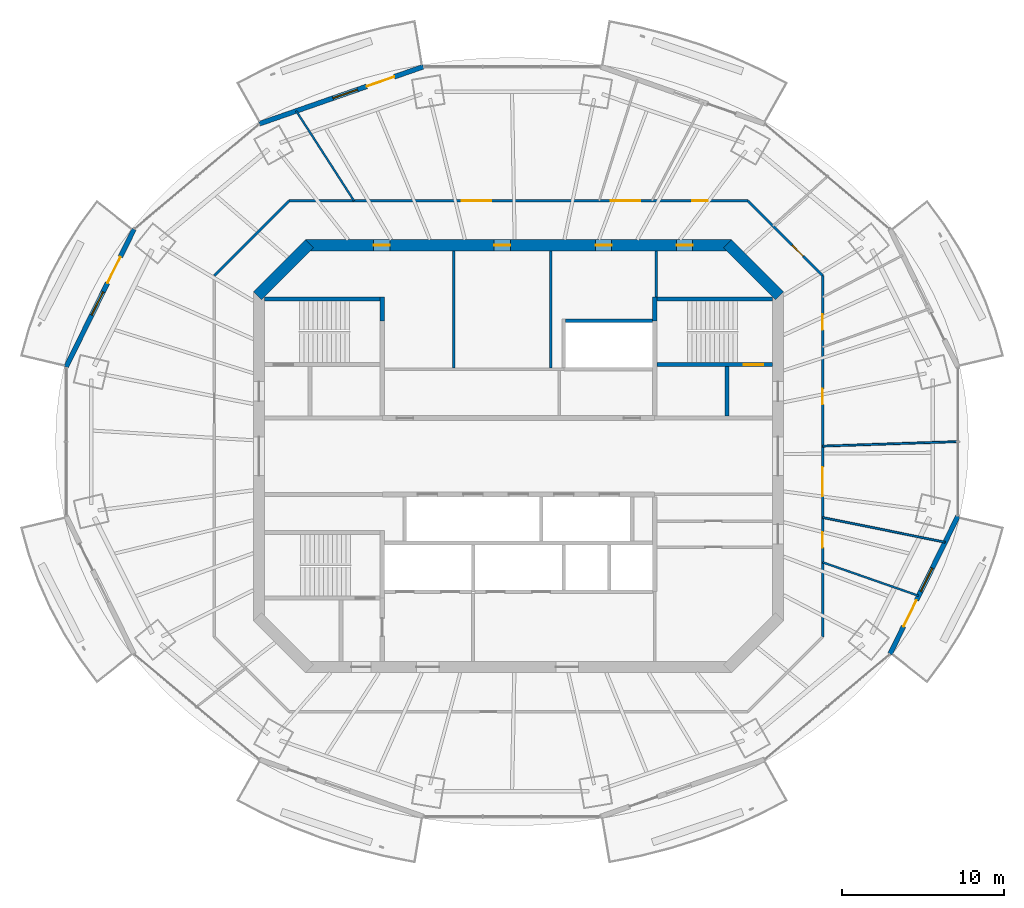
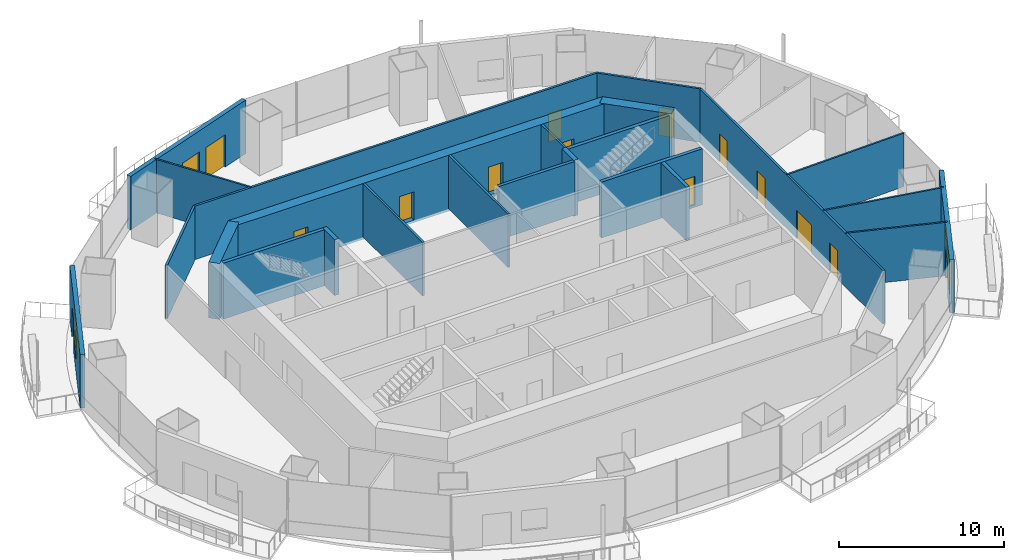
# One storey, part 10 of 16: 24 walls, 16 doors, 3 windows, 19 openings.
"""IFC4 building model written with IfcOpenShell, lengths in metres."""

from ifc_helpers import new_model, si_unit, direction, frame, frame_2d, origin, place, context, subcontext, project, spatial, rectangle, extrude, material, layer, layer_set, type_object, element, fill, save


model = new_model("IFC4")

# Units and contexts
model_context = context("Model", 3, precision=1e-05, world=origin(), true_north=direction((0.0, 1.0)))
body_context = subcontext(model_context, "Body", "Model", "MODEL_VIEW")
ifc_project = project(units=[si_unit("LENGTHUNIT", "METRE"), si_unit("AREAUNIT", "SQUARE_METRE"), si_unit("VOLUMEUNIT", "CUBIC_METRE"), si_unit("PLANEANGLEUNIT", "RADIAN"), si_unit("MASSUNIT", "GRAM", prefix="KILO")], contexts=[model_context])

# Site, building, storey
site_placement = place(None, origin())
site = spatial("IfcSite", under=ifc_project, at=site_placement, CompositionType="ELEMENT")
building_placement = place(site_placement, origin())
building = spatial("IfcBuilding", under=site, at=building_placement, Name="Marenthal Gate Tower", CompositionType="ELEMENT")
storey_placement = place(building_placement, frame((0.0, 0.0, 313.550048828125)))
storey = spatial("IfcBuildingStorey", under=building, at=storey_placement, Name="L70", CompositionType="ELEMENT", Elevation=313.550048828125)

# Wall
ifc_material_1 = material(Name="Concrete 60 MPa", Category="concrete")
ifc_layer_1 = layer(ifc_material_1, 0.699951171875)
ifc_layer_set_1 = layer_set([ifc_layer_1], Name="Core shear wall 700")
wall_type_1 = type_object("IfcWallType", Name="Core shear wall 700", PredefinedType="SHEAR", material=ifc_layer_set_1)
wall_1_placement = place(storey_placement, frame((16.1025390625, 9.8974609375, -0.179931640625), z_axis=(0.0, 0.0, 1.0), x_axis=(-0.707106781187, 0.707106781187, 0.0)))
element("IfcWall", 1, at=wall_1_placement, inside=storey, type_object=wall_type_1, Name="Core wall 03", PredefinedType="SHEAR", context=body_context, shape_type="SweptSolid", body=[
    extrude(rectangle(XDim=4.53271484375, YDim=0.699951171875, at=frame_2d((2.266357421875, 0.0))), origin(), (0.0, 0.0, 1.0), 4.14990234375),
])

# Wall, openings, doors
wall_2_placement = place(storey_placement, frame((13.14501953125, 13.0, -0.179931640625), z_axis=(0.0, 0.0, 1.0), x_axis=(-1.0, 0.0, 0.0)))
wall_2 = element("IfcWall", 2, at=wall_2_placement, inside=storey, type_object=wall_type_1, Name="Core wall 04", PredefinedType="SHEAR", context=body_context, shape_type="SweptSolid", body=[
    extrude(rectangle(XDim=26.2900390625, YDim=0.699951171875, at=frame_2d((13.14501953125, 0.0))), origin(), (0.0, 0.0, 1.0), 4.14990234375),
])
opening_1_placement = place(wall_2_placement, frame((21.07275390625, 0.0, 0.179931640625)))
opening_1 = element("IfcOpeningElement", 3, at=opening_1_placement, cuts=wall_2, Name="Opening D005.03", PredefinedType="OPENING", context=body_context, shape_type="SweptSolid", body=[
    extrude(rectangle(XDim=1.0, YDim=2.10009765625, at=frame_2d((0.5, 1.050048828125))), frame((0.0, 0.35986328125, 0.0), z_axis=(0.0, -1.0, 0.0), x_axis=(1.0, 0.0, 0.0)), (0.0, 0.0, 1.0), 0.719970703125),
])
opening_2_placement = place(wall_2_placement, frame((13.64501953125, 0.0, 0.179931640625)))
opening_2 = element("IfcOpeningElement", 4, at=opening_2_placement, cuts=wall_2, Name="Opening D005.04", PredefinedType="OPENING", context=body_context, shape_type="SweptSolid", body=[
    extrude(rectangle(XDim=1.0, YDim=2.10009765625, at=frame_2d((0.5, 1.050048828125))), frame((0.0, 0.35986328125, 0.0), z_axis=(0.0, -1.0, 0.0), x_axis=(1.0, 0.0, 0.0)), (0.0, 0.0, 1.0), 0.719970703125),
])
opening_3_placement = place(wall_2_placement, frame((7.39501953125, 0.0, 0.179931640625)))
opening_3 = element("IfcOpeningElement", 5, at=opening_3_placement, cuts=wall_2, Name="Opening D005.05", PredefinedType="OPENING", context=body_context, shape_type="SweptSolid", body=[
    extrude(rectangle(XDim=1.0, YDim=2.10009765625, at=frame_2d((0.5, 1.050048828125))), frame((0.0, 0.35986328125, 0.0), z_axis=(0.0, -1.0, 0.0), x_axis=(1.0, 0.0, 0.0)), (0.0, 0.0, 1.0), 0.719970703125),
])
opening_4_placement = place(wall_2_placement, frame((2.39990234375, 0.0, 0.179931640625)))
opening_4 = element("IfcOpeningElement", 6, at=opening_4_placement, cuts=wall_2, Name="Opening D005.06", PredefinedType="OPENING", context=body_context, shape_type="SweptSolid", body=[
    extrude(rectangle(XDim=1.0, YDim=2.10009765625, at=frame_2d((0.5, 1.050048828125))), frame((0.0, 0.35986328125, 0.0), z_axis=(0.0, -1.0, 0.0), x_axis=(1.0, 0.0, 0.0)), (0.0, 0.0, 1.0), 0.719970703125),
])
ifc_material_2 = material(Name="Steel fire door", Category="steel")
door_type_1 = type_object("IfcDoorType", Name="Fire door FD 45 1000 x 2100", OperationType="NOTDEFINED", PredefinedType="DOOR", material=ifc_material_2)
door_1_placement = place(opening_1_placement, origin())
door_1 = element("IfcDoor", 7, at=door_1_placement, inside=storey, type_object=door_type_1, Name="Door D005.03", OperationType="SINGLE_SWING_RIGHT", OverallHeight=2.10009765625, OverallWidth=1.0, PredefinedType="DOOR", context=body_context, shape_type="SweptSolid", body=[
    extrude(rectangle(XDim=1.0, YDim=2.10009765625, at=frame_2d((0.5, 1.050048828125))), frame((0.0, 0.02490234375, 0.0), z_axis=(0.0, -1.0, 0.0), x_axis=(1.0, 0.0, 0.0)), (0.0, 0.0, 1.0), 0.050048828125),
])
fill(opening_1, door_1)
door_2_placement = place(opening_2_placement, origin())
door_2 = element("IfcDoor", 8, at=door_2_placement, inside=storey, type_object=door_type_1, Name="Door D005.04", OperationType="SINGLE_SWING_RIGHT", OverallHeight=2.10009765625, OverallWidth=1.0, PredefinedType="DOOR", context=body_context, shape_type="SweptSolid", body=[
    extrude(rectangle(XDim=1.0, YDim=2.10009765625, at=frame_2d((0.5, 1.050048828125))), frame((0.0, 0.02490234375, 0.0), z_axis=(0.0, -1.0, 0.0), x_axis=(1.0, 0.0, 0.0)), (0.0, 0.0, 1.0), 0.050048828125),
])
fill(opening_2, door_2)
door_3_placement = place(opening_3_placement, origin())
door_3 = element("IfcDoor", 9, at=door_3_placement, inside=storey, type_object=door_type_1, Name="Door D005.05", OperationType="SINGLE_SWING_RIGHT", OverallHeight=2.10009765625, OverallWidth=1.0, PredefinedType="DOOR", context=body_context, shape_type="SweptSolid", body=[
    extrude(rectangle(XDim=1.0, YDim=2.10009765625, at=frame_2d((0.5, 1.050048828125))), frame((0.0, 0.02490234375, 0.0), z_axis=(0.0, -1.0, 0.0), x_axis=(1.0, 0.0, 0.0)), (0.0, 0.0, 1.0), 0.050048828125),
])
fill(opening_3, door_3)
door_4_placement = place(opening_4_placement, origin())
door_4 = element("IfcDoor", 10, at=door_4_placement, inside=storey, type_object=door_type_1, Name="Door D005.06", OperationType="SINGLE_SWING_RIGHT", OverallHeight=2.10009765625, OverallWidth=1.0, PredefinedType="DOOR", context=body_context, shape_type="SweptSolid", body=[
    extrude(rectangle(XDim=1.0, YDim=2.10009765625, at=frame_2d((0.5, 1.050048828125))), frame((0.0, 0.02490234375, 0.0), z_axis=(0.0, -1.0, 0.0), x_axis=(1.0, 0.0, 0.0)), (0.0, 0.0, 1.0), 0.050048828125),
])
fill(opening_4, door_4)

# Walls
wall_3_placement = place(storey_placement, frame((-12.8974609375, 13.1025390625, -0.179931640625), z_axis=(0.0, 0.0, 1.0), x_axis=(-0.707106781187, -0.707106781187, 0.0)))
element("IfcWall", 11, at=wall_3_placement, inside=storey, type_object=wall_type_1, Name="Core wall 05", PredefinedType="SHEAR", context=body_context, shape_type="SweptSolid", body=[
    extrude(rectangle(XDim=4.53271484375, YDim=0.699951171875, at=frame_2d((2.266357421875, 0.0))), origin(), (0.0, 0.0, 1.0), 4.14990234375),
])
ifc_material_3 = material(Name="Concrete 40 MPa", Category="concrete")
ifc_layer_2 = layer(ifc_material_3, 0.219970703125)
ifc_layer_set_2 = layer_set([ifc_layer_2], Name="Hoistway wall 220")
wall_type_2 = type_object("IfcWallType", Name="Hoistway wall 220", PredefinedType="STANDARD", material=ifc_layer_set_2)
wall_4_placement = place(storey_placement, frame((2.909912109375, 8.35009765625, 0.0), z_axis=(0.0, 0.0, 1.0), x_axis=(1.0, 0.0, 0.0)))
element("IfcWall", 12, at=wall_4_placement, inside=storey, type_object=wall_type_2, Name="Hoistway wall 26", PredefinedType="STANDARD", context=body_context, shape_type="SweptSolid", body=[
    extrude(rectangle(XDim=5.340087890625, YDim=0.219970703125, at=frame_2d((2.669921875, 0.0))), origin(), (0.0, 0.0, 1.0), 3.969970703125),
])
ifc_material_4 = material(Name="Gypsum board on steel studs", Category="steel")
ifc_layer_3 = layer(ifc_material_4, 0.1201171875)
ifc_layer_set_3 = layer_set([ifc_layer_3], Name="Partition 120")
wall_type_3 = type_object("IfcWallType", Name="Partition 120", PredefinedType="PARTITIONING", material=ifc_layer_set_3)
wall_5_placement = place(storey_placement, frame((-10.141357421875, 15.75, 0.0), z_axis=(0.0, 0.0, 1.0), x_axis=(-0.541399884667, 0.840765225781, 0.0)))
element("IfcWall", 13, at=wall_5_placement, inside=storey, type_object=wall_type_3, Name="Partition wall 57", PredefinedType="PARTITIONING", context=body_context, shape_type="SweptSolid", body=[
    extrude(rectangle(XDim=6.587890625, YDim=0.1201171875, at=frame_2d((3.2939453125, 0.0))), origin(), (0.0, 0.0, 1.0), 3.969970703125),
])
wall_6_placement = place(storey_placement, frame((18.75, -6.540283203125, 0.0), z_axis=(0.0, 0.0, 1.0), x_axis=(0.944208901131, -0.329347158824, 0.0)))
element("IfcWall", 14, at=wall_6_placement, inside=storey, type_object=wall_type_3, Name="Partition wall 64", PredefinedType="PARTITIONING", context=body_context, shape_type="SweptSolid", body=[
    extrude(rectangle(XDim=6.277099609375, YDim=0.1201171875, at=frame_2d((3.138671875, 0.0))), origin(), (0.0, 0.0, 1.0), 3.969970703125),
])
wall_7_placement = place(storey_placement, frame((18.75, -3.7783203125, 0.0), z_axis=(0.0, 0.0, 1.0), x_axis=(0.980298249201, -0.197523017933, 0.0)))
element("IfcWall", 15, at=wall_7_placement, inside=storey, type_object=wall_type_3, Name="Partition wall 65", PredefinedType="PARTITIONING", context=body_context, shape_type="SweptSolid", body=[
    extrude(rectangle(XDim=7.707763671875, YDim=0.1201171875, at=frame_2d((3.85400390625, 0.0))), origin(), (0.0, 0.0, 1.0), 3.969970703125),
])
wall_8_placement = place(storey_placement, frame((18.75, 0.622802734375, 0.0), z_axis=(0.0, 0.0, 1.0), x_axis=(0.999449182352, 0.033186320928, 0.0)))
element("IfcWall", 16, at=wall_8_placement, inside=storey, type_object=wall_type_3, Name="Partition wall 66", PredefinedType="PARTITIONING", context=body_context, shape_type="SweptSolid", body=[
    extrude(rectangle(XDim=8.349853515625, YDim=0.1201171875, at=frame_2d((4.1748046875, 0.0))), origin(), (0.0, 0.0, 1.0), 3.969970703125),
])
ifc_material_5 = material(Name="Gypsum board on steel studs", Category="steel")
ifc_layer_4 = layer(ifc_material_5, 0.14990234375)
ifc_layer_set_4 = layer_set([ifc_layer_4], Name="Partition 150")
wall_type_4 = type_object("IfcWallType", Name="Partition 150", PredefinedType="PARTITIONING", material=ifc_layer_set_4)
for number, where, z_axis, x_axis, name in (
    (17, (-4.0, 5.425048828125, 0.0), (0.0, 0.0, 1.0), (0.0, 1.0, 0.0), "Partition wall 36"),
    (18, (2.0, 5.425048828125, 0.0), (0.0, 0.0, 1.0), (0.0, 1.0, 0.0), "Partition wall 40"),
):
    element("IfcWall", number, at=place(storey_placement, frame(where, z_axis=z_axis, x_axis=x_axis)), inside=storey, type_object=wall_type_4, Name=name, PredefinedType="PARTITIONING", context=body_context, shape_type="SweptSolid", body=[
        extrude(rectangle(XDim=7.224853515625, YDim=0.14990234375, at=frame_2d((3.6123046875, 0.0))), origin(), (0.0, 0.0, 1.0), 3.969970703125),
    ])
wall_9_placement = place(storey_placement, frame((8.5, 9.824951171875, 0.0), z_axis=(0.0, 0.0, 1.0), x_axis=(0.0, 1.0, 0.0)))
element("IfcWall", 19, at=wall_9_placement, inside=storey, type_object=wall_type_4, Name="Partition wall 50", PredefinedType="PARTITIONING", context=body_context, shape_type="SweptSolid", body=[
    extrude(rectangle(XDim=2.824951171875, YDim=0.14990234375, at=frame_2d((1.41259765625, 0.0))), origin(), (0.0, 0.0, 1.0), 3.969970703125),
])
wall_10_placement = place(storey_placement, frame((-18.75, 11.13916015625, 0.0), z_axis=(0.0, 0.0, 1.0), x_axis=(0.707106781187, 0.707106781187, 0.0)))
element("IfcWall", 20, at=wall_10_placement, inside=storey, type_object=wall_type_4, Name="Partition wall 53", PredefinedType="PARTITIONING", context=body_context, shape_type="SweptSolid", body=[
    extrude(rectangle(XDim=6.520751953125, YDim=0.14990234375, at=frame_2d((3.26025390625, 0.0))), origin(), (0.0, 0.0, 1.0), 3.969970703125),
])

# Wall, openings, doors
wall_11_placement = place(storey_placement, frame((-14.13916015625, 15.75, 0.0), z_axis=(0.0, 0.0, 1.0), x_axis=(1.0, 0.0, 0.0)))
wall_11 = element("IfcWall", 21, at=wall_11_placement, inside=storey, type_object=wall_type_4, Name="Partition wall 56", PredefinedType="PARTITIONING", context=body_context, shape_type="SweptSolid", body=[
    extrude(rectangle(XDim=28.2783203125, YDim=0.14990234375, at=frame_2d((14.13916015625, 0.0))), origin(), (0.0, 0.0, 1.0), 3.969970703125),
])
opening_5_placement = place(wall_11_placement, frame((24.847900390625, 0.0, 0.0)))
opening_5 = element("IfcOpeningElement", 22, at=opening_5_placement, cuts=wall_11, Name="Opening D016.04", PredefinedType="OPENING", context=body_context, shape_type="SweptSolid", body=[
    extrude(rectangle(XDim=0.949951171875, YDim=2.10009765625, at=frame_2d((0.47509765625, 1.050048828125))), frame((0.0, 0.0849609375, 0.0), z_axis=(0.0, -1.0, 0.0), x_axis=(1.0, 0.0, 0.0)), (0.0, 0.0, 1.0), 0.169921875),
])
opening_6_placement = place(wall_11_placement, frame((19.841064453125, 0.0, 0.0)))
opening_6 = element("IfcOpeningElement", 23, at=opening_6_placement, cuts=wall_11, Name="Opening D014.01", PredefinedType="OPENING", context=body_context, shape_type="SweptSolid", body=[
    extrude(rectangle(XDim=1.800048828125, YDim=2.10009765625, at=frame_2d((0.89990234375, 1.050048828125))), frame((0.0, 0.0849609375, 0.0), z_axis=(0.0, -1.0, 0.0), x_axis=(1.0, 0.0, 0.0)), (0.0, 0.0, 1.0), 0.169921875),
])
opening_7_placement = place(wall_11_placement, frame((10.656005859375, 0.0, 0.0)))
opening_7 = element("IfcOpeningElement", 24, at=opening_7_placement, cuts=wall_11, Name="Opening D014.02", PredefinedType="OPENING", context=body_context, shape_type="SweptSolid", body=[
    extrude(rectangle(XDim=1.800048828125, YDim=2.10009765625, at=frame_2d((0.89990234375, 1.050048828125))), frame((0.0, 0.0849609375, 0.0), z_axis=(0.0, -1.0, 0.0), x_axis=(1.0, 0.0, 0.0)), (0.0, 0.0, 1.0), 0.169921875),
])
ifc_material_6 = material(Name="Timber door", Category="wood")
door_type_2 = type_object("IfcDoorType", Name="Door 950 x 2100", OperationType="NOTDEFINED", PredefinedType="DOOR", material=ifc_material_6)
door_5_placement = place(opening_5_placement, origin())
door_5 = element("IfcDoor", 25, at=door_5_placement, inside=storey, type_object=door_type_2, Name="Door D016.04", OperationType="SINGLE_SWING_RIGHT", OverallHeight=2.10009765625, OverallWidth=0.949951171875, PredefinedType="DOOR", context=body_context, shape_type="SweptSolid", body=[
    extrude(rectangle(XDim=0.949951171875, YDim=2.10009765625, at=frame_2d((0.47509765625, 1.050048828125))), frame((0.0, 0.02490234375, 0.0), z_axis=(0.0, -1.0, 0.0), x_axis=(1.0, 0.0, 0.0)), (0.0, 0.0, 1.0), 0.050048828125),
])
fill(opening_5, door_5)
ifc_material_7 = material(Name="Timber door", Category="wood")
door_type_3 = type_object("IfcDoorType", Name="Double door 1800 x 2100", OperationType="DOUBLE_DOOR_SINGLE_SWING", PredefinedType="DOOR", material=ifc_material_7)
door_6_placement = place(opening_6_placement, origin())
door_6 = element("IfcDoor", 26, at=door_6_placement, inside=storey, type_object=door_type_3, Name="Door D014.01", OperationType="DOUBLE_DOOR_SINGLE_SWING", OverallHeight=2.10009765625, OverallWidth=1.800048828125, PredefinedType="DOOR", context=body_context, shape_type="SweptSolid", body=[
    extrude(rectangle(XDim=1.800048828125, YDim=2.10009765625, at=frame_2d((0.89990234375, 1.050048828125))), frame((0.0, 0.02490234375, 0.0), z_axis=(0.0, -1.0, 0.0), x_axis=(1.0, 0.0, 0.0)), (0.0, 0.0, 1.0), 0.050048828125),
])
fill(opening_6, door_6)
door_7_placement = place(opening_7_placement, origin())
door_7 = element("IfcDoor", 27, at=door_7_placement, inside=storey, type_object=door_type_3, Name="Door D014.02", OperationType="DOUBLE_DOOR_SINGLE_SWING", OverallHeight=2.10009765625, OverallWidth=1.800048828125, PredefinedType="DOOR", context=body_context, shape_type="SweptSolid", body=[
    extrude(rectangle(XDim=1.800048828125, YDim=2.10009765625, at=frame_2d((0.89990234375, 1.050048828125))), frame((0.0, 0.02490234375, 0.0), z_axis=(0.0, -1.0, 0.0), x_axis=(1.0, 0.0, 0.0)), (0.0, 0.0, 1.0), 0.050048828125),
])
fill(opening_7, door_7)

# Wall, opening, door
wall_12_placement = place(storey_placement, frame((14.13916015625, 15.75, 0.0), z_axis=(0.0, 0.0, 1.0), x_axis=(0.707106781187, -0.707106781187, 0.0)))
wall_12 = element("IfcWall", 28, at=wall_12_placement, inside=storey, type_object=wall_type_4, Name="Partition wall 61", PredefinedType="PARTITIONING", context=body_context, shape_type="SweptSolid", body=[
    extrude(rectangle(XDim=6.520751953125, YDim=0.14990234375, at=frame_2d((3.26025390625, 0.0))), origin(), (0.0, 0.0, 1.0), 3.969970703125),
])
opening_8_placement = place(wall_12_placement, frame((3.8779296875, 0.0, 0.0)))
opening_8 = element("IfcOpeningElement", 29, at=opening_8_placement, cuts=wall_12, Name="Opening D016.03", PredefinedType="OPENING", context=body_context, shape_type="SweptSolid", body=[
    extrude(rectangle(XDim=0.949951171875, YDim=2.10009765625, at=frame_2d((0.47509765625, 1.050048828125))), frame((0.0, 0.0849609375, 0.0), z_axis=(0.0, -1.0, 0.0), x_axis=(1.0, 0.0, 0.0)), (0.0, 0.0, 1.0), 0.169921875),
])
door_8_placement = place(opening_8_placement, origin())
door_8 = element("IfcDoor", 30, at=door_8_placement, inside=storey, type_object=door_type_2, Name="Door D016.03", OperationType="SINGLE_SWING_RIGHT", OverallHeight=2.10009765625, OverallWidth=0.949951171875, PredefinedType="DOOR", context=body_context, shape_type="SweptSolid", body=[
    extrude(rectangle(XDim=0.949951171875, YDim=2.10009765625, at=frame_2d((0.47509765625, 1.050048828125))), frame((0.0, 0.02490234375, 0.0), z_axis=(0.0, -1.0, 0.0), x_axis=(1.0, 0.0, 0.0)), (0.0, 0.0, 1.0), 0.050048828125),
])
fill(opening_8, door_8)

# Wall, openings, doors
wall_13_placement = place(storey_placement, frame((18.75, 11.13916015625, 0.0), z_axis=(0.0, 0.0, 1.0), x_axis=(0.0, -1.0, 0.0)))
wall_13 = element("IfcWall", 31, at=wall_13_placement, inside=storey, type_object=wall_type_4, Name="Partition wall 69", PredefinedType="PARTITIONING", context=body_context, shape_type="SweptSolid", body=[
    extrude(rectangle(XDim=22.2783203125, YDim=0.14990234375, at=frame_2d((11.13916015625, 0.0))), origin(), (0.0, 0.0, 1.0), 3.969970703125),
])
opening_9_placement = place(wall_13_placement, frame((6.989013671875, 0.0, 0.0)))
opening_9 = element("IfcOpeningElement", 32, at=opening_9_placement, cuts=wall_13, Name="Opening D016.01", PredefinedType="OPENING", context=body_context, shape_type="SweptSolid", body=[
    extrude(rectangle(XDim=0.949951171875, YDim=2.10009765625, at=frame_2d((0.47509765625, 1.050048828125))), frame((0.0, 0.0849609375, 0.0), z_axis=(0.0, -1.0, 0.0), x_axis=(1.0, 0.0, 0.0)), (0.0, 0.0, 1.0), 0.169921875),
])
opening_10_placement = place(wall_13_placement, frame((2.39794921875, 0.0, 0.0)))
opening_10 = element("IfcOpeningElement", 33, at=opening_10_placement, cuts=wall_13, Name="Opening D016.02", PredefinedType="OPENING", context=body_context, shape_type="SweptSolid", body=[
    extrude(rectangle(XDim=0.949951171875, YDim=2.10009765625, at=frame_2d((0.47509765625, 1.050048828125))), frame((0.0, 0.0849609375, 0.0), z_axis=(0.0, -1.0, 0.0), x_axis=(1.0, 0.0, 0.0)), (0.0, 0.0, 1.0), 0.169921875),
])
opening_11_placement = place(wall_13_placement, frame((15.822998046875, 0.0, 0.0)))
opening_11 = element("IfcOpeningElement", 34, at=opening_11_placement, cuts=wall_13, Name="Opening D016.06", PredefinedType="OPENING", context=body_context, shape_type="SweptSolid", body=[
    extrude(rectangle(XDim=0.949951171875, YDim=2.10009765625, at=frame_2d((0.47509765625, 1.050048828125))), frame((0.0, 0.0849609375, 0.0), z_axis=(0.0, -1.0, 0.0), x_axis=(1.0, 0.0, 0.0)), (0.0, 0.0, 1.0), 0.169921875),
])
opening_12_placement = place(wall_13_placement, frame((11.81689453125, 0.0, 0.0)))
opening_12 = element("IfcOpeningElement", 35, at=opening_12_placement, cuts=wall_13, Name="Opening D014.04", PredefinedType="OPENING", context=body_context, shape_type="SweptSolid", body=[
    extrude(rectangle(XDim=1.800048828125, YDim=2.10009765625, at=frame_2d((0.89990234375, 1.050048828125))), frame((0.0, 0.0849609375, 0.0), z_axis=(0.0, -1.0, 0.0), x_axis=(1.0, 0.0, 0.0)), (0.0, 0.0, 1.0), 0.169921875),
])
door_9_placement = place(opening_9_placement, origin())
door_9 = element("IfcDoor", 36, at=door_9_placement, inside=storey, type_object=door_type_2, Name="Door D016.01", OperationType="SINGLE_SWING_RIGHT", OverallHeight=2.10009765625, OverallWidth=0.949951171875, PredefinedType="DOOR", context=body_context, shape_type="SweptSolid", body=[
    extrude(rectangle(XDim=0.949951171875, YDim=2.10009765625, at=frame_2d((0.47509765625, 1.050048828125))), frame((0.0, 0.02490234375, 0.0), z_axis=(0.0, -1.0, 0.0), x_axis=(1.0, 0.0, 0.0)), (0.0, 0.0, 1.0), 0.050048828125),
])
fill(opening_9, door_9)
door_10_placement = place(opening_10_placement, origin())
door_10 = element("IfcDoor", 37, at=door_10_placement, inside=storey, type_object=door_type_2, Name="Door D016.02", OperationType="SINGLE_SWING_RIGHT", OverallHeight=2.10009765625, OverallWidth=0.949951171875, PredefinedType="DOOR", context=body_context, shape_type="SweptSolid", body=[
    extrude(rectangle(XDim=0.949951171875, YDim=2.10009765625, at=frame_2d((0.47509765625, 1.050048828125))), frame((0.0, 0.02490234375, 0.0), z_axis=(0.0, -1.0, 0.0), x_axis=(1.0, 0.0, 0.0)), (0.0, 0.0, 1.0), 0.050048828125),
])
fill(opening_10, door_10)
door_11_placement = place(opening_11_placement, origin())
door_11 = element("IfcDoor", 38, at=door_11_placement, inside=storey, type_object=door_type_2, Name="Door D016.06", OperationType="SINGLE_SWING_RIGHT", OverallHeight=2.10009765625, OverallWidth=0.949951171875, PredefinedType="DOOR", context=body_context, shape_type="SweptSolid", body=[
    extrude(rectangle(XDim=0.949951171875, YDim=2.10009765625, at=frame_2d((0.47509765625, 1.050048828125))), frame((0.0, 0.02490234375, 0.0), z_axis=(0.0, -1.0, 0.0), x_axis=(1.0, 0.0, 0.0)), (0.0, 0.0, 1.0), 0.050048828125),
])
fill(opening_11, door_11)
door_12_placement = place(opening_12_placement, origin())
door_12 = element("IfcDoor", 39, at=door_12_placement, inside=storey, type_object=door_type_3, Name="Door D014.04", OperationType="DOUBLE_DOOR_SINGLE_SWING", OverallHeight=2.10009765625, OverallWidth=1.800048828125, PredefinedType="DOOR", context=body_context, shape_type="SweptSolid", body=[
    extrude(rectangle(XDim=1.800048828125, YDim=2.10009765625, at=frame_2d((0.89990234375, 1.050048828125))), frame((0.0, 0.02490234375, 0.0), z_axis=(0.0, -1.0, 0.0), x_axis=(1.0, 0.0, 0.0)), (0.0, 0.0, 1.0), 0.050048828125),
])
fill(opening_12, door_12)

# Wall
ifc_material_8 = material(Name="Concrete 40 MPa", Category="concrete")
ifc_layer_5 = layer(ifc_material_8, 0.25)
ifc_layer_set_5 = layer_set([ifc_layer_5], Name="Stair enclosure wall 250")
wall_type_5 = type_object("IfcWallType", Name="Stair enclosure wall 250", PredefinedType="STANDARD", material=ifc_layer_set_5)
wall_14_placement = place(storey_placement, frame((12.85009765625, 2.47509765625, 0.0), z_axis=(0.0, 0.0, 1.0), x_axis=(0.0, 1.0, 0.0)))
element("IfcWall", 40, at=wall_14_placement, inside=storey, type_object=wall_type_5, Name="Stair wall 51", PredefinedType="STANDARD", context=body_context, shape_type="SweptSolid", body=[
    extrude(rectangle(XDim=3.0498046875, YDim=0.25, at=frame_2d((1.52490234375, 0.0))), origin(), (0.0, 0.0, 1.0), 3.969970703125),
])

# Wall, opening, door
ifc_material_9 = material(Name="Concrete 50 MPa", Category="concrete")
ifc_layer_6 = layer(ifc_material_9, 0.25)
ifc_layer_set_6 = layer_set([ifc_layer_6], Name="Stair shear wall 250")
wall_type_6 = type_object("IfcWallType", Name="Stair shear wall 250", PredefinedType="SHEAR", material=ifc_layer_set_6)
wall_15_placement = place(storey_placement, frame((8.550048828125, 5.64990234375, -0.179931640625), z_axis=(0.0, 0.0, 1.0), x_axis=(1.0, 0.0, 0.0)))
wall_15 = element("IfcWall", 41, at=wall_15_placement, inside=storey, type_object=wall_type_6, Name="Stair wall 25", PredefinedType="SHEAR", context=body_context, shape_type="SweptSolid", body=[
    extrude(rectangle(XDim=7.099853515625, YDim=0.25, at=frame_2d((3.5498046875, 0.0))), origin(), (0.0, 0.0, 1.0), 4.14990234375),
])
opening_13_placement = place(wall_15_placement, frame((5.35009765625, 0.0, 0.179931640625)))
opening_13 = element("IfcOpeningElement", 42, at=opening_13_placement, cuts=wall_15, Name="Opening D001.02", PredefinedType="OPENING", context=body_context, shape_type="SweptSolid", body=[
    extrude(rectangle(XDim=1.199951171875, YDim=2.10009765625, at=frame_2d((0.60009765625, 1.050048828125))), frame((0.0, 0.135009765625, 0.0), z_axis=(0.0, -1.0, 0.0), x_axis=(1.0, 0.0, 0.0)), (0.0, 0.0, 1.0), 0.27001953125),
])
ifc_material_10 = material(Name="Steel fire door", Category="steel")
door_type_4 = type_object("IfcDoorType", Name="Fire door FD 90 1200 x 2100", OperationType="NOTDEFINED", PredefinedType="DOOR", material=ifc_material_10)
door_13_placement = place(opening_13_placement, origin())
door_13 = element("IfcDoor", 43, at=door_13_placement, inside=storey, type_object=door_type_4, Name="Door D001.02", OperationType="SINGLE_SWING_RIGHT", OverallHeight=2.10009765625, OverallWidth=1.199951171875, PredefinedType="DOOR", context=body_context, shape_type="SweptSolid", body=[
    extrude(rectangle(XDim=1.199951171875, YDim=2.10009765625, at=frame_2d((0.60009765625, 1.050048828125))), frame((0.0, 0.02490234375, 0.0), z_axis=(0.0, -1.0, 0.0), x_axis=(1.0, 0.0, 0.0)), (0.0, 0.0, 1.0), 0.050048828125),
])
fill(opening_13, door_13)

# Walls
for number, where, z_axis, x_axis, name in (
    (44, (-15.64990234375, 9.699951171875, -0.179931640625), (0.0, 0.0, 1.0), (1.0, 0.0, 0.0), "Stair wall 27"),
    (45, (8.550048828125, 9.699951171875, -0.179931640625), (0.0, 0.0, 1.0), (1.0, 0.0, 0.0), "Stair wall 28"),
):
    element("IfcWall", number, at=place(storey_placement, frame(where, z_axis=z_axis, x_axis=x_axis)), inside=storey, type_object=wall_type_6, Name=name, PredefinedType="SHEAR", context=body_context, shape_type="SweptSolid", body=[
        extrude(rectangle(XDim=7.099853515625, YDim=0.25, at=frame_2d((3.5498046875, 0.0))), origin(), (0.0, 0.0, 1.0), 4.14990234375),
    ])
ifc_material_11 = material(Name="Concrete 50 MPa", Category="concrete")
ifc_layer_7 = layer(ifc_material_11, 0.300048828125)
ifc_layer_set_7 = layer_set([ifc_layer_7], Name="Stair shear wall 300")
wall_type_7 = type_object("IfcWallType", Name="Stair shear wall 300", PredefinedType="SHEAR", material=ifc_layer_set_7)
for number, where, z_axis, x_axis, name in (
    (46, (-8.39990234375, 8.35009765625, -0.179931640625), (0.0, 0.0, 1.0), (0.0, 1.0, 0.0), "Stair wall 34"),
    (47, (8.39990234375, 8.35009765625, -0.179931640625), (0.0, 0.0, 1.0), (0.0, 1.0, 0.0), "Stair wall 49"),
):
    element("IfcWall", number, at=place(storey_placement, frame(where, z_axis=z_axis, x_axis=x_axis)), inside=storey, type_object=wall_type_7, Name=name, PredefinedType="SHEAR", context=body_context, shape_type="SweptSolid", body=[
        extrude(rectangle(XDim=1.474853515625, YDim=0.300048828125, at=frame_2d((0.7373046875, 0.0))), origin(), (0.0, 0.0, 1.0), 4.14990234375),
    ])

# Wall, openings, door, window
ifc_material_12 = material(Name="Terracotta cladding on insulated concrete-block backing", Category="masonry")
ifc_layer_8 = layer(ifc_material_12, 0.300048828125)
ifc_layer_set_8 = layer_set([ifc_layer_8], Name="Terracotta facade wall 300")
wall_type_8 = type_object("IfcWallType", Name="Terracotta facade wall 300", PredefinedType="SOLIDWALL", material=ifc_layer_set_8)
wall_16_placement = place(storey_placement, frame((-5.869140625, 24.01904296875, 0.0), z_axis=(0.0, 0.0, 1.0), x_axis=(-0.94436622093, -0.328895790132, 0.0)))
wall_16 = element("IfcWall", 48, at=wall_16_placement, inside=storey, type_object=wall_type_8, Name="Terracotta facade wall L70 bay 5", PredefinedType="SOLIDWALL", context=body_context, shape_type="SweptSolid", body=[
    extrude(rectangle(XDim=10.701171875, YDim=0.300048828125, at=frame_2d((5.3505859375, 0.0))), origin(), (0.0, 0.0, 1.0), 3.969970703125),
])
opening_14_placement = place(wall_16_placement, frame((1.89990234375, 0.0, 0.0)))
opening_14 = element("IfcOpeningElement", 49, at=opening_14_placement, cuts=wall_16, Name="Opening BD-L70-05", PredefinedType="OPENING", context=body_context, shape_type="SweptSolid", body=[
    extrude(rectangle(XDim=1.800048828125, YDim=2.39990234375, at=frame_2d((0.89990234375, 1.199951171875))), frame((0.0, 0.16015625, 0.0), z_axis=(0.0, -1.0, 0.0), x_axis=(1.0, 0.0, 0.0)), (0.0, 0.0, 1.0), 0.320068359375),
])
opening_15_placement = place(wall_16_placement, frame((4.300048828125, 0.0, 0.89990234375)))
opening_15 = element("IfcOpeningElement", 50, at=opening_15_placement, cuts=wall_16, Name="Opening WN3-L70-05", PredefinedType="OPENING", context=body_context, shape_type="SweptSolid", body=[
    extrude(rectangle(XDim=1.60009765625, YDim=1.5, at=frame_2d((0.800048828125, 0.75))), frame((0.0, 0.16015625, 0.0), z_axis=(0.0, -1.0, 0.0), x_axis=(1.0, 0.0, 0.0)), (0.0, 0.0, 1.0), 0.320068359375),
])
ifc_material_13 = material(Name="Aluminium and glass", Category="aluminium")
door_type_5 = type_object("IfcDoorType", Name="Balcony door 1800x2400", OperationType="DOUBLE_DOOR_SINGLE_SWING", PredefinedType="DOOR", material=ifc_material_13)
door_14_placement = place(opening_14_placement, origin())
door_14 = element("IfcDoor", 51, at=door_14_placement, inside=storey, type_object=door_type_5, Name="Balcony door L70 bay 5", OperationType="SINGLE_SWING_LEFT", OverallHeight=2.39990234375, OverallWidth=1.800048828125, PredefinedType="DOOR", context=body_context, shape_type="SweptSolid", body=[
    extrude(rectangle(XDim=1.800048828125, YDim=2.39990234375, at=frame_2d((0.89990234375, 1.199951171875))), frame((0.0, 0.02490234375, 0.0), z_axis=(0.0, -1.0, 0.0), x_axis=(1.0, 0.0, 0.0)), (0.0, 0.0, 1.0), 0.050048828125),
])
fill(opening_14, door_14)
ifc_material_14 = material(Name="Aluminium and glass", Category="aluminium")
window_type = type_object("IfcWindowType", Name="Window 1600x1500", PartitioningType="DOUBLE_PANEL_VERTICAL", PredefinedType="WINDOW", material=ifc_material_14)
window_1_placement = place(opening_15_placement, origin())
window_1 = element("IfcWindow", 52, at=window_1_placement, inside=storey, type_object=window_type, Name="Window L70 bay 5", OverallHeight=1.5, OverallWidth=1.60009765625, PartitioningType="SINGLE_PANEL", PredefinedType="WINDOW", context=body_context, shape_type="SweptSolid", body=[
    extrude(rectangle(XDim=1.60009765625, YDim=1.5, at=frame_2d((0.800048828125, 0.75))), frame((0.0, 0.030029296875, 0.0), z_axis=(0.0, -1.0, 0.0), x_axis=(1.0, 0.0, 0.0)), (0.0, 0.0, 1.0), 0.06005859375),
])
fill(opening_15, window_1)

wall_17_placement = place(storey_placement, frame((-23.70947265625, 13.995849609375, 0.0), z_axis=(0.0, 0.0, 1.0), x_axis=(-0.441906476931, -0.89706112704, 0.0)))
wall_17 = element("IfcWall", 53, at=wall_17_placement, inside=storey, type_object=wall_type_8, Name="Terracotta facade wall L70 bay 7", PredefinedType="SOLIDWALL", context=body_context, shape_type="SweptSolid", body=[
    extrude(rectangle(XDim=9.47216796875, YDim=0.300048828125, at=frame_2d((4.736083984375, 0.0))), origin(), (0.0, 0.0, 1.0), 3.969970703125),
])
opening_16_placement = place(wall_17_placement, frame((1.89990234375, 0.0, 0.0)))
opening_16 = element("IfcOpeningElement", 54, at=opening_16_placement, cuts=wall_17, Name="Opening BD-L70-07", PredefinedType="OPENING", context=body_context, shape_type="SweptSolid", body=[
    extrude(rectangle(XDim=1.800048828125, YDim=2.39990234375, at=frame_2d((0.89990234375, 1.199951171875))), frame((0.0, 0.16015625, 0.0), z_axis=(0.0, -1.0, 0.0), x_axis=(1.0, 0.0, 0.0)), (0.0, 0.0, 1.0), 0.320068359375),
])
opening_17_placement = place(wall_17_placement, frame((4.300048828125, 0.0, 0.89990234375)))
opening_17 = element("IfcOpeningElement", 55, at=opening_17_placement, cuts=wall_17, Name="Opening WN3-L70-07", PredefinedType="OPENING", context=body_context, shape_type="SweptSolid", body=[
    extrude(rectangle(XDim=1.60009765625, YDim=1.5, at=frame_2d((0.800048828125, 0.75))), frame((0.0, 0.16015625, 0.0), z_axis=(0.0, -1.0, 0.0), x_axis=(1.0, 0.0, 0.0)), (0.0, 0.0, 1.0), 0.320068359375),
])
door_15_placement = place(opening_16_placement, origin())
door_15 = element("IfcDoor", 56, at=door_15_placement, inside=storey, type_object=door_type_5, Name="Balcony door L70 bay 7", OperationType="SINGLE_SWING_LEFT", OverallHeight=2.39990234375, OverallWidth=1.800048828125, PredefinedType="DOOR", context=body_context, shape_type="SweptSolid", body=[
    extrude(rectangle(XDim=1.800048828125, YDim=2.39990234375, at=frame_2d((0.89990234375, 1.199951171875))), frame((0.0, 0.02490234375, 0.0), z_axis=(0.0, -1.0, 0.0), x_axis=(1.0, 0.0, 0.0)), (0.0, 0.0, 1.0), 0.050048828125),
])
fill(opening_16, door_15)
window_2_placement = place(opening_17_placement, origin())
window_2 = element("IfcWindow", 57, at=window_2_placement, inside=storey, type_object=window_type, Name="Window L70 bay 7", OverallHeight=1.5, OverallWidth=1.60009765625, PartitioningType="SINGLE_PANEL", PredefinedType="WINDOW", context=body_context, shape_type="SweptSolid", body=[
    extrude(rectangle(XDim=1.60009765625, YDim=1.5, at=frame_2d((0.800048828125, 0.75))), frame((0.0, 0.030029296875, 0.0), z_axis=(0.0, -1.0, 0.0), x_axis=(1.0, 0.0, 0.0)), (0.0, 0.0, 1.0), 0.06005859375),
])
fill(opening_17, window_2)

wall_18_placement = place(storey_placement, frame((22.909423828125, -12.19580078125, 0.0), z_axis=(0.0, 0.0, 1.0), x_axis=(0.441906476931, 0.89706112704, 0.0)))
wall_18 = element("IfcWall", 58, at=wall_18_placement, inside=storey, type_object=wall_type_8, Name="Terracotta facade wall L70 bay 15", PredefinedType="SOLIDWALL", context=body_context, shape_type="SweptSolid", body=[
    extrude(rectangle(XDim=9.47216796875, YDim=0.300048828125, at=frame_2d((4.736083984375, 0.0))), origin(), (0.0, 0.0, 1.0), 3.969970703125),
])
opening_18_placement = place(wall_18_placement, frame((1.89990234375, 0.0, 0.0)))
opening_18 = element("IfcOpeningElement", 59, at=opening_18_placement, cuts=wall_18, Name="Opening BD-L70-15", PredefinedType="OPENING", context=body_context, shape_type="SweptSolid", body=[
    extrude(rectangle(XDim=1.800048828125, YDim=2.39990234375, at=frame_2d((0.89990234375, 1.199951171875))), frame((0.0, 0.16015625, 0.0), z_axis=(0.0, -1.0, 0.0), x_axis=(1.0, 0.0, 0.0)), (0.0, 0.0, 1.0), 0.320068359375),
])
opening_19_placement = place(wall_18_placement, frame((4.300048828125, 0.0, 0.89990234375)))
opening_19 = element("IfcOpeningElement", 60, at=opening_19_placement, cuts=wall_18, Name="Opening WN3-L70-15", PredefinedType="OPENING", context=body_context, shape_type="SweptSolid", body=[
    extrude(rectangle(XDim=1.60009765625, YDim=1.5, at=frame_2d((0.800048828125, 0.75))), frame((0.0, 0.16015625, 0.0), z_axis=(0.0, -1.0, 0.0), x_axis=(1.0, 0.0, 0.0)), (0.0, 0.0, 1.0), 0.320068359375),
])
door_16_placement = place(opening_18_placement, origin())
door_16 = element("IfcDoor", 61, at=door_16_placement, inside=storey, type_object=door_type_5, Name="Balcony door L70 bay 15", OperationType="SINGLE_SWING_LEFT", OverallHeight=2.39990234375, OverallWidth=1.800048828125, PredefinedType="DOOR", context=body_context, shape_type="SweptSolid", body=[
    extrude(rectangle(XDim=1.800048828125, YDim=2.39990234375, at=frame_2d((0.89990234375, 1.199951171875))), frame((0.0, 0.02490234375, 0.0), z_axis=(0.0, -1.0, 0.0), x_axis=(1.0, 0.0, 0.0)), (0.0, 0.0, 1.0), 0.050048828125),
])
fill(opening_18, door_16)
window_3_placement = place(opening_19_placement, origin())
window_3 = element("IfcWindow", 62, at=window_3_placement, inside=storey, type_object=window_type, Name="Window L70 bay 15", OverallHeight=1.5, OverallWidth=1.60009765625, PartitioningType="SINGLE_PANEL", PredefinedType="WINDOW", context=body_context, shape_type="SweptSolid", body=[
    extrude(rectangle(XDim=1.60009765625, YDim=1.5, at=frame_2d((0.800048828125, 0.75))), frame((0.0, 0.030029296875, 0.0), z_axis=(0.0, -1.0, 0.0), x_axis=(1.0, 0.0, 0.0)), (0.0, 0.0, 1.0), 0.06005859375),
])
fill(opening_19, window_3)

save(model, "model.ifc")
